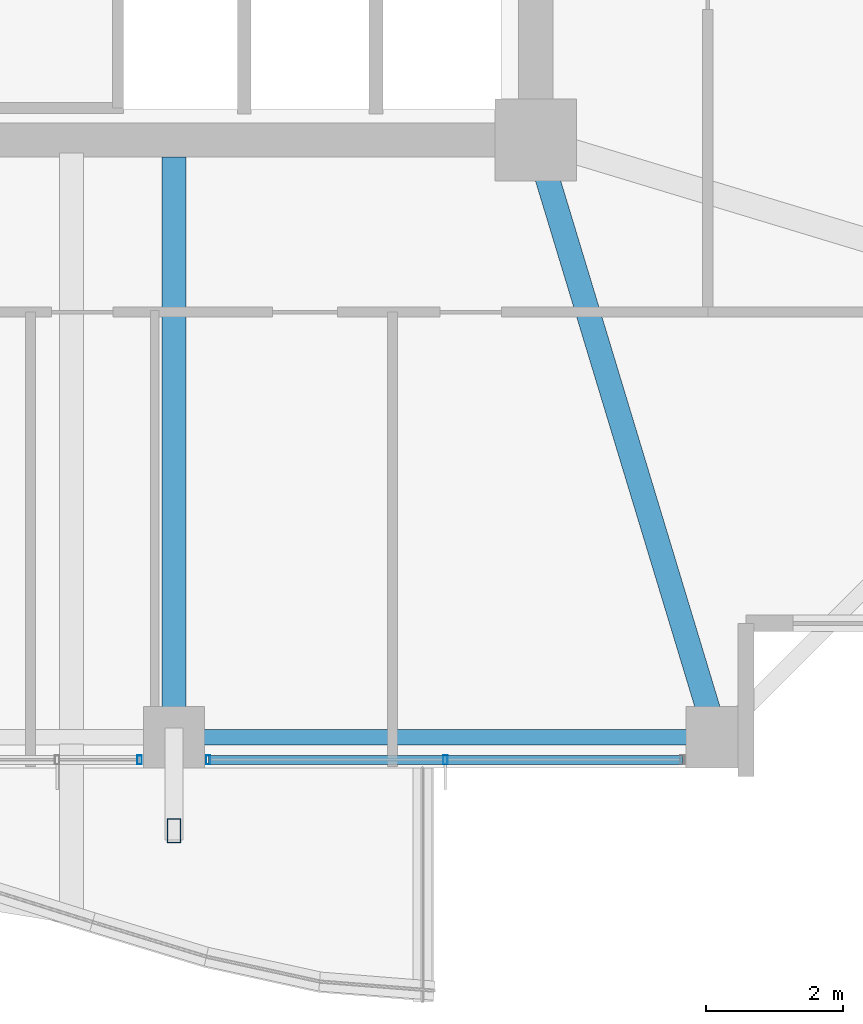
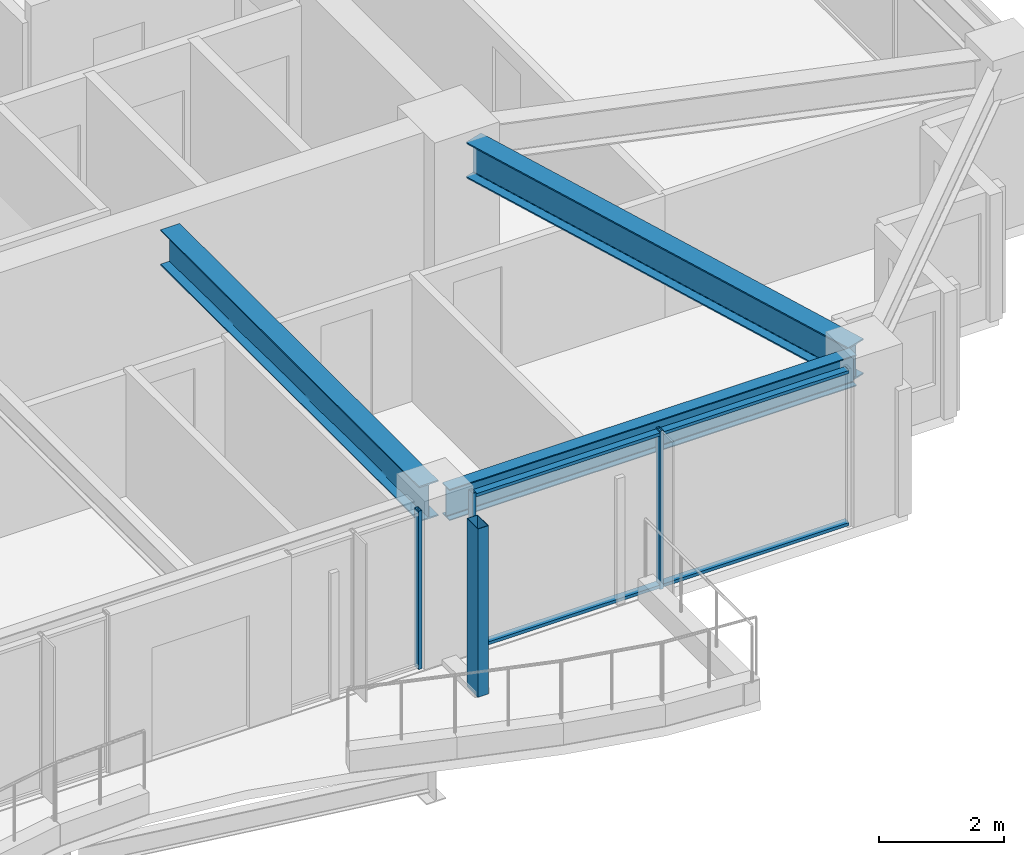
# One storey, part 6 of 32: 6 members, 3 beams, 2 elements without a shape of their own.
"""IFC4 building model written with IfcOpenShell, lengths in metres."""

from ifc_helpers import new_model, si_unit, direction, frame, origin, origin_2d, place, context, subcontext, project, spatial, hollow_rectangle, i_section, extrude, material, material_profile, profile_set, type_object, element, aggregate, save


model = new_model("IFC4")

# Units and contexts
model_context = context("Model", 3, precision=1e-05, world=origin(), true_north=direction((0.0, 1.0)))
body_context = subcontext(model_context, "Body", "Model", "MODEL_VIEW")
ifc_project = project(units=[si_unit("LENGTHUNIT", "METRE"), si_unit("AREAUNIT", "SQUARE_METRE"), si_unit("VOLUMEUNIT", "CUBIC_METRE"), si_unit("PLANEANGLEUNIT", "RADIAN"), si_unit("MASSUNIT", "GRAM", prefix="KILO")], contexts=[model_context])

# Site, building, storey
site_placement = place(None, origin())
site = spatial("IfcSite", under=ifc_project, at=site_placement, CompositionType="ELEMENT")
building_placement = place(site_placement, origin())
building = spatial("IfcBuilding", under=site, at=building_placement, Name="Kolvaren Belvedere", CompositionType="ELEMENT")
storey_placement = place(building_placement, frame((0.0, 0.0, 160.199951171875)))
storey = spatial("IfcBuildingStorey", under=building, at=storey_placement, Name="L46", CompositionType="ELEMENT", Elevation=160.199951171875)

# Beams
ifc_material_1 = material(Name="Structural steel ASTM A992 Grade 50", Category="steel")
ifc_material_profile_1 = material_profile(ifc_material_1, i_section(OverallWidth=0.35498046875, OverallDepth=0.696044921875, WebThickness=0.015380859375, FlangeThickness=0.02490234375, FilletRadius=0.02197265625, at=origin_2d()), Name="W27X146")
ifc_profile_set_1 = profile_set([ifc_material_profile_1], Name="Structural steel ASTM A992 Grade 50")
beam_type_1 = type_object("IfcBeamType", Name="BM-GIRD-W27X146", PredefinedType="BEAM", material=ifc_profile_set_1)
beam_1_placement = place(storey_placement, frame((4.60009765625, -10.14990234375, 2.751953125), z_axis=(0.0, -1.0, 0.0), x_axis=(1.0, 0.0, 0.0)))
element("IfcBeam", 1, at=beam_1_placement, inside=storey, type_object=beam_type_1, Name="L46 South Radial Girder P", PredefinedType="BEAM", context=body_context, shape_type="SweptSolid", body=[
    extrude(i_section(OverallWidth=0.35498046875, OverallDepth=0.696044921875, WebThickness=0.015380859375, FlangeThickness=0.02490234375, FilletRadius=0.02197265625, at=origin_2d()), origin(), (0.0, 0.0, 1.0), 8.297607421875),
])
beam_2_placement = place(storey_placement, frame((10.059326171875, -10.426513671875, 2.751953125), z_axis=(0.289865629086, -0.957067352423, 0.0), x_axis=(0.957067352423, 0.289865629086, 0.0)))
element("IfcBeam", 2, at=beam_2_placement, inside=storey, type_object=beam_type_1, Name="L46 Corner Core-to-Perimeter Girder CC2-S4", PredefinedType="BEAM", context=body_context, shape_type="SweptSolid", body=[
    extrude(i_section(OverallWidth=0.35498046875, OverallDepth=0.696044921875, WebThickness=0.015380859375, FlangeThickness=0.02490234375, FilletRadius=0.02197265625, at=origin_2d()), origin(), (0.0, 0.0, 1.0), 8.412353515625),
])
ifc_material_2 = material(Name="Structural steel ASTM A992 Grade 50", Category="steel")
ifc_material_profile_2 = material_profile(ifc_material_2, i_section(OverallWidth=0.22900390625, OverallDepth=0.612060546875, WebThickness=0.011962890625, FlangeThickness=0.01953125, FilletRadius=0.01806640625, at=origin_2d()), Name="W24X84")
ifc_profile_set_2 = profile_set([ifc_material_profile_2], Name="Structural steel ASTM A992 Grade 50")
beam_type_2 = type_object("IfcBeamType", Name="BM-SPAN-W24X84", PredefinedType="SPANDREL", material=ifc_profile_set_2)
beam_3_placement = place(storey_placement, frame((4.802490234375, -18.64990234375, 2.7939453125), z_axis=(1.0, 0.0, 0.0), x_axis=(0.0, 1.0, 0.0)))
element("IfcBeam", 3, at=beam_3_placement, inside=storey, type_object=beam_type_2, Name="L46 Perimeter Spandrel S3-S4", PredefinedType="SPANDREL", context=body_context, shape_type="SweptSolid", body=[
    extrude(i_section(OverallWidth=0.22900390625, OverallDepth=0.612060546875, WebThickness=0.011962890625, FlangeThickness=0.01953125, FilletRadius=0.01806640625, at=origin_2d()), origin(), (0.0, 0.0, 1.0), 7.544921875),
])

# Curtain wall, members
ifc_material_3 = material(Name="Anodised pale-metal aluminium AA 6063-T6", Category="aluminium")
curtain_wall_type = type_object("IfcCurtainWallType", Name="CW-Z3-WAIST", PredefinedType="NOTDEFINED", material=ifc_material_3)
curtain_wall_1_placement = place(storey_placement, origin())
curtain_wall_1 = element("IfcCurtainWall", 4, at=curtain_wall_1_placement, inside=storey, type_object=curtain_wall_type, Name="L46 Unitised Curtain Wall FCW-L46-S1-B1", PredefinedType="NOTDEFINED")
ifc_material_4 = material(Name="Anodised pale-metal aluminium AA 6063-T6", Category="aluminium")
ifc_material_profile_3 = material_profile(ifc_material_4, hollow_rectangle(XDim=0.06494140625, YDim=0.1298828125, WallThickness=0.00390625, at=origin_2d()), Name="ALU-MUL-130X65")
ifc_profile_set_3 = profile_set([ifc_material_profile_3], Name="Anodised pale-metal aluminium AA 6063-T6")
member_type_1 = type_object("IfcMemberType", Name="CW-MUL-130", PredefinedType="MULLION", material=ifc_profile_set_3)
member_1_placement = place(storey_placement, frame((8.574951171875, -18.97998046875, 0.0), z_axis=(0.0, 0.0, 1.0), x_axis=(1.0, 0.0, 0.0)))
member_1 = element("IfcMember", 5, at=member_1_placement, type_object=member_type_1, Name="FCW-L46-S1-B1 Unitised Mullion 2", PredefinedType="MULLION", context=body_context, shape_type="SweptSolid", body=[
    extrude(hollow_rectangle(XDim=0.06494140625, YDim=0.1298828125, WallThickness=0.00390625, at=origin_2d()), origin(), (0.0, 0.0, 1.0), 3.10009765625),
])
member_2_placement = place(storey_placement, frame((5.1025390625, -18.97998046875, 0.0), z_axis=(0.0, 0.0, 1.0), x_axis=(1.0, 0.0, 0.0)))
member_2 = element("IfcMember", 6, at=member_2_placement, type_object=member_type_1, Name="FCW-L46-S1-B1 Unitised Mullion 3", PredefinedType="MULLION", context=body_context, shape_type="SweptSolid", body=[
    extrude(hollow_rectangle(XDim=0.06494140625, YDim=0.1298828125, WallThickness=0.00390625, at=origin_2d()), origin(), (0.0, 0.0, 1.0), 3.10009765625),
])

# Curtain wall, member
curtain_wall_2_placement = place(storey_placement, origin())
curtain_wall_2 = element("IfcCurtainWall", 7, at=curtain_wall_2_placement, inside=storey, type_object=curtain_wall_type, Name="L46 Unitised Curtain Wall FCW-L46-S1-B2", PredefinedType="NOTDEFINED")
member_3_placement = place(storey_placement, frame((4.097412109375, -18.97998046875, 0.0), z_axis=(0.0, 0.0, 1.0), x_axis=(1.0, 0.0, 0.0)))
member_3 = element("IfcMember", 8, at=member_3_placement, type_object=member_type_1, Name="FCW-L46-S1-B2 Unitised Mullion 1", PredefinedType="MULLION", context=body_context, shape_type="SweptSolid", body=[
    extrude(hollow_rectangle(XDim=0.06494140625, YDim=0.1298828125, WallThickness=0.00390625, at=origin_2d()), origin(), (0.0, 0.0, 1.0), 3.10009765625),
])
aggregate(curtain_wall_2, [member_3])

# Member
ifc_material_5 = material(Name="Anodised pale-metal aluminium AA 6063-T6", Category="aluminium")
ifc_material_profile_4 = material_profile(ifc_material_5, hollow_rectangle(XDim=0.06005859375, YDim=0.1298828125, WallThickness=0.00390625, at=origin_2d()), Name="ALU-TRN-130X60")
ifc_profile_set_4 = profile_set([ifc_material_profile_4], Name="Anodised pale-metal aluminium AA 6063-T6")
member_type_2 = type_object("IfcMemberType", Name="CW-TRN-130", PredefinedType="USERDEFINED", material=ifc_profile_set_4)
member_4_placement = place(storey_placement, frame((12.047607421875, -18.97998046875, 0.06005859375), z_axis=(-1.0, 0.0, 0.0), x_axis=(0.0, 0.0, 1.0)))
member_4 = element("IfcMember", 9, at=member_4_placement, type_object=member_type_2, Name="FCW-L46-S1-B1 Sill Transom", ObjectType="TRANSOM", PredefinedType="USERDEFINED", context=body_context, shape_type="SweptSolid", body=[
    extrude(hollow_rectangle(XDim=0.06005859375, YDim=0.1298828125, WallThickness=0.00390625, at=origin_2d()), origin(), (0.0, 0.0, 1.0), 6.945068359375),
])

member_5_placement = place(storey_placement, frame((12.047607421875, -18.97998046875, 3.0400390625), z_axis=(-1.0, 0.0, 0.0), x_axis=(0.0, 0.0, 1.0)))
member_5 = element("IfcMember", 10, at=member_5_placement, type_object=member_type_2, Name="FCW-L46-S1-B1 Head Transom", ObjectType="TRANSOM", PredefinedType="USERDEFINED", context=body_context, shape_type="SweptSolid", body=[
    extrude(hollow_rectangle(XDim=0.06005859375, YDim=0.1298828125, WallThickness=0.00390625, at=origin_2d()), origin(), (0.0, 0.0, 1.0), 6.945068359375),
])

aggregate(curtain_wall_1, [member_1, member_2, member_4, member_5])

ifc_material_6 = material(Name="Anodised pale-metal aluminium AA 6063-T6", Category="aluminium")
ifc_material_profile_5 = material_profile(ifc_material_6, hollow_rectangle(XDim=0.199951171875, YDim=0.35009765625, WallThickness=0.007568359375, at=origin_2d()), Name="ALU-PF-350X200")
ifc_profile_set_5 = profile_set([ifc_material_profile_5], Name="Anodised pale-metal aluminium AA 6063-T6")
member_type_3 = type_object("IfcMemberType", Name="PF-FRAME-350", PredefinedType="USERDEFINED", material=ifc_profile_set_5)
member_6_placement = place(storey_placement, frame((4.60009765625, -20.02001953125, 0.0), z_axis=(0.0, 0.0, 1.0), x_axis=(1.0, 0.0, 0.0)))
element("IfcMember", 11, at=member_6_placement, inside=storey, type_object=member_type_3, Name="L46 Outboard Picture-Frame Vertical S1", ObjectType="PICTURE FRAME FIN", PredefinedType="USERDEFINED", context=body_context, shape_type="SweptSolid", body=[
    extrude(hollow_rectangle(XDim=0.199951171875, YDim=0.35009765625, WallThickness=0.007568359375, at=origin_2d()), origin(), (0.0, 0.0, 1.0), 3.300048828125),
])

save(model, "model.ifc")
